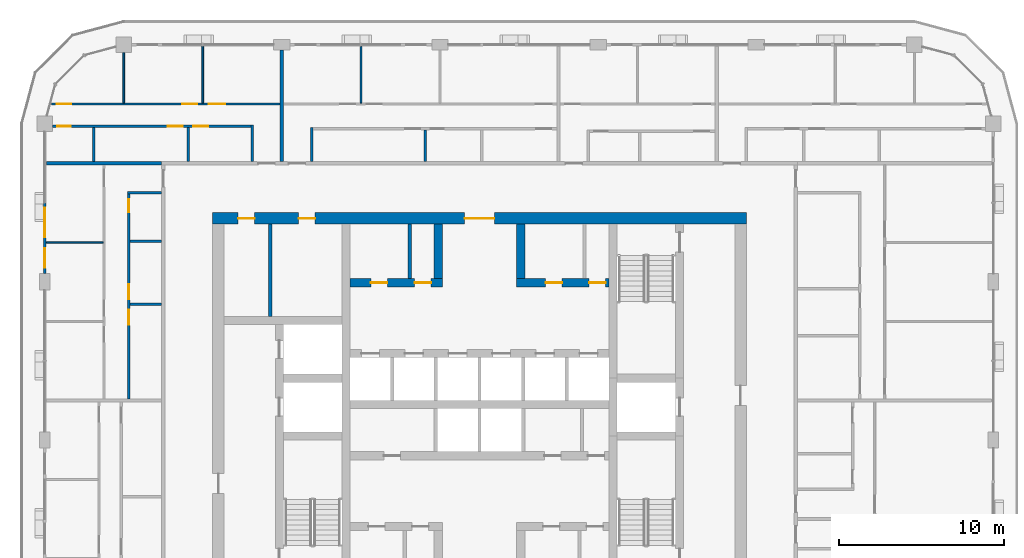
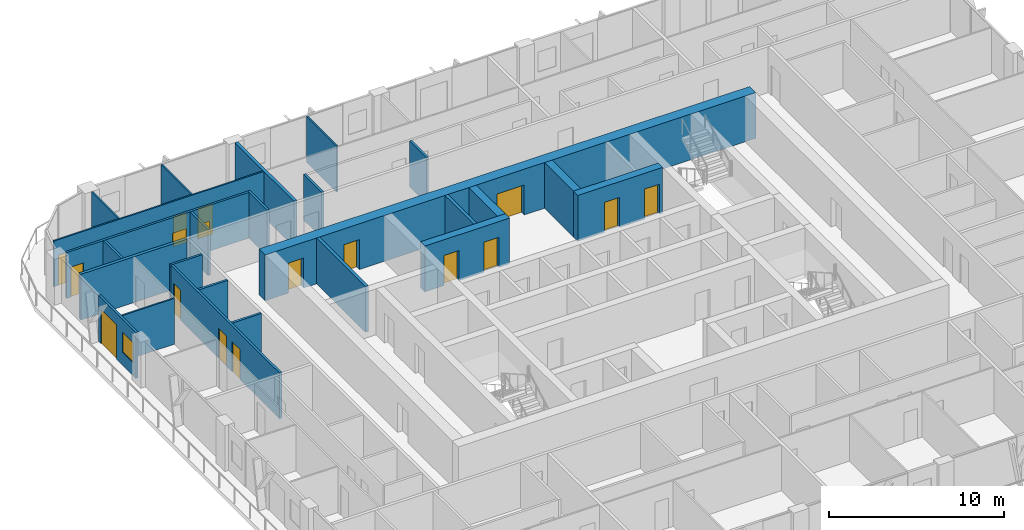
# One storey, part 13 of 22: 25 walls, 17 doors, 1 window, 18 openings.
"""IFC4 building model written with IfcOpenShell, lengths in metres."""

from ifc_helpers import new_model, si_unit, direction, frame, frame_2d, origin, place, context, subcontext, project, spatial, rectangle, extrude, material, layer, layer_set, type_object, element, fill, save


model = new_model("IFC4")

# Units and contexts
model_context = context("Model", 3, precision=1e-05, world=origin(), true_north=direction((0.0, 1.0)))
body_context = subcontext(model_context, "Body", "Model", "MODEL_VIEW")
ifc_project = project(units=[si_unit("LENGTHUNIT", "METRE"), si_unit("AREAUNIT", "SQUARE_METRE"), si_unit("VOLUMEUNIT", "CUBIC_METRE"), si_unit("PLANEANGLEUNIT", "RADIAN"), si_unit("MASSUNIT", "GRAM", prefix="KILO")], contexts=[model_context])

# Site, building, storey
site_placement = place(None, origin())
site = spatial("IfcSite", under=ifc_project, at=site_placement, CompositionType="ELEMENT")
building_placement = place(site_placement, origin())
building = spatial("IfcBuilding", under=site, at=building_placement, Name="Madar Terraces", CompositionType="ELEMENT")
storey_placement = place(building_placement, frame((0.0, 0.0, 192.89990234375)))
storey = spatial("IfcBuildingStorey", under=building, at=storey_placement, Name="L50", CompositionType="ELEMENT", Elevation=192.89990234375)

# Wall, openings, doors
ifc_material_1 = material(Name="Concrete C60/75", Category="concrete")
ifc_layer_1 = layer(ifc_material_1, 0.5)
ifc_layer_set_1 = layer_set([ifc_layer_1], Name="Concrete C60/75 (CIW4 RC wall 500)")
wall_type_1 = type_object("IfcWallType", Name="CIW4 RC wall 500", PredefinedType="SHEAR", material=ifc_layer_set_1)
wall_1_placement = place(storey_placement, frame((23.35009765625, 33.550048828125, 0.0), z_axis=(0.0, 0.0, 1.0), x_axis=(1.0, 0.0, 0.0)))
wall_1 = element("IfcWall", 1, at=wall_1_placement, inside=storey, type_object=wall_type_1, Name="CORE SHAFT WALL", PredefinedType="SHEAR", context=body_context, shape_type="SweptSolid", body=[
    extrude(rectangle(XDim=5.599853515625, YDim=0.5, at=frame_2d((2.7998046875, 0.0))), origin(), (0.0, 0.0, 1.0), 3.2001953125),
])
opening_1_placement = place(wall_1_placement, frame((1.260498046875, 0.0, 0.0)))
opening_1 = element("IfcOpeningElement", 2, at=opening_1_placement, cuts=wall_1, Name="Opening KD2", PredefinedType="OPENING", context=body_context, shape_type="SweptSolid", body=[
    extrude(rectangle(XDim=1.0, YDim=2.10009765625, at=frame_2d((0.5, 1.050048828125))), frame((0.0, 0.260009765625, 0.0), z_axis=(0.0, -1.0, 0.0), x_axis=(1.0, 0.0, 0.0)), (0.0, 0.0, 1.0), 0.52001953125),
])
opening_2_placement = place(wall_1_placement, frame((3.910400390625, 0.0, 0.0)))
opening_2 = element("IfcOpeningElement", 3, at=opening_2_placement, cuts=wall_1, Name="Opening KD2", PredefinedType="OPENING", context=body_context, shape_type="SweptSolid", body=[
    extrude(rectangle(XDim=1.0, YDim=2.10009765625, at=frame_2d((0.5, 1.050048828125))), frame((0.0, 0.260009765625, 0.0), z_axis=(0.0, -1.0, 0.0), x_axis=(1.0, 0.0, 0.0)), (0.0, 0.0, 1.0), 0.52001953125),
])
ifc_material_2 = material(Name="Steel door leaf", Category="steel")
door_type_1 = type_object("IfcDoorType", Name="Service room door 1000 x 2100", OperationType="NOTDEFINED", PredefinedType="DOOR", material=ifc_material_2)
door_1_placement = place(opening_1_placement, frame((1.0, 0.0, 0.0), z_axis=(0.0, 0.0, 1.0), x_axis=(-1.0, 0.0, 0.0)))
door_1 = element("IfcDoor", 4, at=door_1_placement, inside=storey, type_object=door_type_1, Name="SERVICE ROOM DOOR", OperationType="SINGLE_SWING_RIGHT", OverallHeight=2.10009765625, OverallWidth=1.0, PredefinedType="DOOR", context=body_context, shape_type="SweptSolid", body=[
    extrude(rectangle(XDim=1.0, YDim=2.10009765625, at=frame_2d((0.5, 1.050048828125))), frame((0.0, 0.02490234375, 0.0), z_axis=(0.0, -1.0, 0.0), x_axis=(1.0, 0.0, 0.0)), (0.0, 0.0, 1.0), 0.050048828125),
])
fill(opening_1, door_1)
door_2_placement = place(opening_2_placement, frame((1.0, 0.0, 0.0), z_axis=(0.0, 0.0, 1.0), x_axis=(-1.0, 0.0, 0.0)))
door_2 = element("IfcDoor", 5, at=door_2_placement, inside=storey, type_object=door_type_1, Name="SERVICE ROOM DOOR", OperationType="SINGLE_SWING_LEFT", OverallHeight=2.10009765625, OverallWidth=1.0, PredefinedType="DOOR", context=body_context, shape_type="SweptSolid", body=[
    extrude(rectangle(XDim=1.0, YDim=2.10009765625, at=frame_2d((0.5, 1.050048828125))), frame((0.0, 0.02490234375, 0.0), z_axis=(0.0, -1.0, 0.0), x_axis=(1.0, 0.0, 0.0)), (0.0, 0.0, 1.0), 0.050048828125),
])
fill(opening_2, door_2)

wall_2_placement = place(storey_placement, frame((33.449951171875, 33.550048828125, 0.0), z_axis=(0.0, 0.0, 1.0), x_axis=(1.0, 0.0, 0.0)))
wall_2 = element("IfcWall", 6, at=wall_2_placement, inside=storey, type_object=wall_type_1, Name="CORE SHAFT WALL", PredefinedType="SHEAR", context=body_context, shape_type="SweptSolid", body=[
    extrude(rectangle(XDim=5.60009765625, YDim=0.5, at=frame_2d((2.800048828125, 0.0))), origin(), (0.0, 0.0, 1.0), 3.2001953125),
])
opening_3_placement = place(wall_2_placement, frame((1.760498046875, 0.0, 0.0)))
opening_3 = element("IfcOpeningElement", 7, at=opening_3_placement, cuts=wall_2, Name="Opening KD2", PredefinedType="OPENING", context=body_context, shape_type="SweptSolid", body=[
    extrude(rectangle(XDim=1.0, YDim=2.10009765625, at=frame_2d((0.5, 1.050048828125))), frame((0.0, 0.260009765625, 0.0), z_axis=(0.0, -1.0, 0.0), x_axis=(1.0, 0.0, 0.0)), (0.0, 0.0, 1.0), 0.52001953125),
])
opening_4_placement = place(wall_2_placement, frame((4.410400390625, 0.0, 0.0)))
opening_4 = element("IfcOpeningElement", 8, at=opening_4_placement, cuts=wall_2, Name="Opening KD2", PredefinedType="OPENING", context=body_context, shape_type="SweptSolid", body=[
    extrude(rectangle(XDim=1.0, YDim=2.10009765625, at=frame_2d((0.5, 1.050048828125))), frame((0.0, 0.260009765625, 0.0), z_axis=(0.0, -1.0, 0.0), x_axis=(1.0, 0.0, 0.0)), (0.0, 0.0, 1.0), 0.52001953125),
])
door_3_placement = place(opening_3_placement, frame((1.0, 0.0, 0.0), z_axis=(0.0, 0.0, 1.0), x_axis=(-1.0, 0.0, 0.0)))
door_3 = element("IfcDoor", 9, at=door_3_placement, inside=storey, type_object=door_type_1, Name="SERVICE ROOM DOOR", OperationType="SINGLE_SWING_RIGHT", OverallHeight=2.10009765625, OverallWidth=1.0, PredefinedType="DOOR", context=body_context, shape_type="SweptSolid", body=[
    extrude(rectangle(XDim=1.0, YDim=2.10009765625, at=frame_2d((0.5, 1.050048828125))), frame((0.0, 0.02490234375, 0.0), z_axis=(0.0, -1.0, 0.0), x_axis=(1.0, 0.0, 0.0)), (0.0, 0.0, 1.0), 0.050048828125),
])
fill(opening_3, door_3)
door_4_placement = place(opening_4_placement, frame((1.0, 0.0, 0.0), z_axis=(0.0, 0.0, 1.0), x_axis=(-1.0, 0.0, 0.0)))
door_4 = element("IfcDoor", 10, at=door_4_placement, inside=storey, type_object=door_type_1, Name="SERVICE ROOM DOOR", OperationType="SINGLE_SWING_LEFT", OverallHeight=2.10009765625, OverallWidth=1.0, PredefinedType="DOOR", context=body_context, shape_type="SweptSolid", body=[
    extrude(rectangle(XDim=1.0, YDim=2.10009765625, at=frame_2d((0.5, 1.050048828125))), frame((0.0, 0.02490234375, 0.0), z_axis=(0.0, -1.0, 0.0), x_axis=(1.0, 0.0, 0.0)), (0.0, 0.0, 1.0), 0.050048828125),
])
fill(opening_4, door_4)

# Walls
for number, where, z_axis, x_axis, name in (
    (11, (28.699951171875, 33.800048828125, 0.0), (0.0, 0.0, 1.0), (0.0, 1.0, 0.0), "CORE SHAFT WALL"),
    (12, (33.699951171875, 33.800048828125, 0.0), (0.0, 0.0, 1.0), (0.0, 1.0, 0.0), "CORE SHAFT WALL"),
):
    element("IfcWall", number, at=place(storey_placement, frame(where, z_axis=z_axis, x_axis=x_axis)), inside=storey, type_object=wall_type_1, Name=name, PredefinedType="SHEAR", context=body_context, shape_type="SweptSolid", body=[
        extrude(rectangle(XDim=3.300048828125, YDim=0.5, at=frame_2d((1.64990234375, 0.0))), origin(), (0.0, 0.0, 1.0), 3.2001953125),
    ])

# Wall, openings, doors
ifc_material_3 = material(Name="Concrete C60/75", Category="concrete")
ifc_layer_2 = layer(ifc_material_3, 0.699951171875)
ifc_layer_set_2 = layer_set([ifc_layer_2], Name="Concrete C60/75 (CRW4 RC wall 700)")
wall_type_2 = type_object("IfcWallType", Name="CRW4 RC wall 700", PredefinedType="SHEAR", material=ifc_layer_set_2)
wall_3_placement = place(storey_placement, frame((15.0, 37.449951171875, 0.0), z_axis=(0.0, 0.0, 1.0), x_axis=(1.0, 0.0, 0.0)))
wall_3 = element("IfcWall", 13, at=wall_3_placement, inside=storey, type_object=wall_type_2, Name="CORE OUTER WALL", PredefinedType="SHEAR", context=body_context, shape_type="SweptSolid", body=[
    extrude(rectangle(XDim=32.39990234375, YDim=0.699951171875, at=frame_2d((16.199951171875, 0.0))), origin(), (0.0, 0.0, 1.0), 3.2001953125),
])
opening_5_placement = place(wall_3_placement, frame((15.300048828125, 0.0, 0.0)))
opening_5 = element("IfcOpeningElement", 14, at=opening_5_placement, cuts=wall_3, Name="Opening KD1", PredefinedType="OPENING", context=body_context, shape_type="SweptSolid", body=[
    extrude(rectangle(XDim=1.800048828125, YDim=2.10009765625, at=frame_2d((0.89990234375, 1.050048828125))), frame((0.0, 0.35986328125, 0.0), z_axis=(0.0, -1.0, 0.0), x_axis=(1.0, 0.0, 0.0)), (0.0, 0.0, 1.0), 0.719970703125),
])
opening_6_placement = place(wall_3_placement, frame((1.544189453125, 0.0, 0.0)))
opening_6 = element("IfcOpeningElement", 15, at=opening_6_placement, cuts=wall_3, Name="Opening KD2", PredefinedType="OPENING", context=body_context, shape_type="SweptSolid", body=[
    extrude(rectangle(XDim=1.0, YDim=2.10009765625, at=frame_2d((0.5, 1.050048828125))), frame((0.0, 0.35986328125, 0.0), z_axis=(0.0, -1.0, 0.0), x_axis=(1.0, 0.0, 0.0)), (0.0, 0.0, 1.0), 0.719970703125),
])
opening_7_placement = place(wall_3_placement, frame((5.21923828125, 0.0, 0.0)))
opening_7 = element("IfcOpeningElement", 16, at=opening_7_placement, cuts=wall_3, Name="Opening KD2", PredefinedType="OPENING", context=body_context, shape_type="SweptSolid", body=[
    extrude(rectangle(XDim=1.0, YDim=2.10009765625, at=frame_2d((0.5, 1.050048828125))), frame((0.0, 0.35986328125, 0.0), z_axis=(0.0, -1.0, 0.0), x_axis=(1.0, 0.0, 0.0)), (0.0, 0.0, 1.0), 0.719970703125),
])
ifc_material_4 = material(Name="Steel door leaf", Category="steel")
door_type_2 = type_object("IfcDoorType", Name="Lobby door pair 1800 x 2100", OperationType="DOUBLE_DOOR_SINGLE_SWING", PredefinedType="DOOR", material=ifc_material_4)
door_5_placement = place(opening_5_placement, origin())
door_5 = element("IfcDoor", 17, at=door_5_placement, inside=storey, type_object=door_type_2, Name="LIFT LOBBY DOOR", OperationType="DOUBLE_DOOR_SINGLE_SWING", OverallHeight=2.10009765625, OverallWidth=1.800048828125, PredefinedType="DOOR", context=body_context, shape_type="SweptSolid", body=[
    extrude(rectangle(XDim=1.800048828125, YDim=2.10009765625, at=frame_2d((0.89990234375, 1.050048828125))), frame((0.0, 0.02490234375, 0.0), z_axis=(0.0, -1.0, 0.0), x_axis=(1.0, 0.0, 0.0)), (0.0, 0.0, 1.0), 0.050048828125),
])
fill(opening_5, door_5)
door_6_placement = place(opening_6_placement, origin())
door_6 = element("IfcDoor", 18, at=door_6_placement, inside=storey, type_object=door_type_1, Name="SERVICE ROOM DOOR", OperationType="SINGLE_SWING_LEFT", OverallHeight=2.10009765625, OverallWidth=1.0, PredefinedType="DOOR", context=body_context, shape_type="SweptSolid", body=[
    extrude(rectangle(XDim=1.0, YDim=2.10009765625, at=frame_2d((0.5, 1.050048828125))), frame((0.0, 0.02490234375, 0.0), z_axis=(0.0, -1.0, 0.0), x_axis=(1.0, 0.0, 0.0)), (0.0, 0.0, 1.0), 0.050048828125),
])
fill(opening_6, door_6)
door_7_placement = place(opening_7_placement, origin())
door_7 = element("IfcDoor", 19, at=door_7_placement, inside=storey, type_object=door_type_1, Name="SERVICE ROOM DOOR", OperationType="SINGLE_SWING_RIGHT", OverallHeight=2.10009765625, OverallWidth=1.0, PredefinedType="DOOR", context=body_context, shape_type="SweptSolid", body=[
    extrude(rectangle(XDim=1.0, YDim=2.10009765625, at=frame_2d((0.5, 1.050048828125))), frame((0.0, 0.02490234375, 0.0), z_axis=(0.0, -1.0, 0.0), x_axis=(1.0, 0.0, 0.0)), (0.0, 0.0, 1.0), 0.050048828125),
])
fill(opening_7, door_7)

# Walls
ifc_material_5 = material(Name="Masonry blockwork", Category="masonry")
ifc_layer_3 = layer(ifc_material_5, 0.199951171875)
ifc_layer_set_3 = layer_set([ifc_layer_3], Name="Core partition 200 blockwork")
wall_type_3 = type_object("IfcWallType", Name="Core partition 200 blockwork", PredefinedType="PARTITIONING", material=ifc_layer_set_3)
wall_4_placement = place(storey_placement, frame((18.488525390625, 31.5, 0.0), z_axis=(0.0, 0.0, 1.0), x_axis=(0.0, 1.0, 0.0)))
element("IfcWall", 20, at=wall_4_placement, inside=storey, type_object=wall_type_3, Name="SERVICE ROOM PARTITION", PredefinedType="PARTITIONING", context=body_context, shape_type="SweptSolid", body=[
    extrude(rectangle(XDim=5.60009765625, YDim=0.199951171875, at=frame_2d((2.800048828125, 0.0))), origin(), (0.0, 0.0, 1.0), 3.2001953125),
])
wall_5_placement = place(storey_placement, frame((26.970947265625, 33.800048828125, 0.0), z_axis=(0.0, 0.0, 1.0), x_axis=(0.0, 1.0, 0.0)))
element("IfcWall", 21, at=wall_5_placement, inside=storey, type_object=wall_type_3, Name="SERVICE ROOM PARTITION", PredefinedType="PARTITIONING", context=body_context, shape_type="SweptSolid", body=[
    extrude(rectangle(XDim=3.300048828125, YDim=0.199951171875, at=frame_2d((1.64990234375, 0.0))), origin(), (0.0, 0.0, 1.0), 3.2001953125),
])

# Wall, openings, door, window
ifc_material_6 = material(Name="Aluminium composite panel, black, over insulated backing", Category="aluminium")
ifc_layer_4 = layer(ifc_material_6, 0.14990234375)
ifc_layer_set_4 = layer_set([ifc_layer_4], Name="Facade bay panel 150")
wall_type_4 = type_object("IfcWallType", Name="Facade bay panel 150", PredefinedType="SOLIDWALL", material=ifc_layer_set_4)
wall_6_placement = place(storey_placement, frame((4.800048828125, 38.39990234375, 0.0), z_axis=(0.0, 0.0, 1.0), x_axis=(0.0, -1.0, 0.0)))
wall_6 = element("IfcWall", 22, at=wall_6_placement, inside=storey, type_object=wall_type_4, Name="Facade bay panel", PredefinedType="SOLIDWALL", context=body_context, shape_type="SweptSolid", body=[
    extrude(rectangle(XDim=4.2998046875, YDim=0.14990234375, at=frame_2d((2.14990234375, 0.0))), origin(), (0.0, 0.0, 1.0), 3.2001953125),
])
opening_8_placement = place(wall_6_placement, frame((0.300048828125, 0.0, 0.0)))
opening_8 = element("IfcOpeningElement", 23, at=opening_8_placement, cuts=wall_6, Name="Opening ED1", PredefinedType="OPENING", context=body_context, shape_type="SweptSolid", body=[
    extrude(rectangle(XDim=1.800048828125, YDim=2.39990234375, at=frame_2d((0.89990234375, 1.199951171875))), frame((0.0, 0.0849609375, 0.0), z_axis=(0.0, -1.0, 0.0), x_axis=(1.0, 0.0, 0.0)), (0.0, 0.0, 1.0), 0.169921875),
])
opening_9_placement = place(wall_6_placement, frame((2.75, 0.0, 0.89990234375)))
opening_9 = element("IfcOpeningElement", 24, at=opening_9_placement, cuts=wall_6, Name="Opening W1", PredefinedType="OPENING", context=body_context, shape_type="SweptSolid", body=[
    extrude(rectangle(XDim=1.199951171875, YDim=1.39990234375, at=frame_2d((0.60009765625, 0.699951171875))), frame((0.0, 0.0849609375, 0.0), z_axis=(0.0, -1.0, 0.0), x_axis=(1.0, 0.0, 0.0)), (0.0, 0.0, 1.0), 0.169921875),
])
ifc_material_7 = material(Name="Glass, clear, with black aluminium frame", Category="aluminium")
door_type_3 = type_object("IfcDoorType", Name="Balcony and terrace sliding door 1800 x 2400", OperationType="SLIDING_TO_LEFT", PredefinedType="DOOR", material=ifc_material_7)
door_8_placement = place(opening_8_placement, origin())
door_8 = element("IfcDoor", 25, at=door_8_placement, inside=storey, type_object=door_type_3, Name="Balcony door", OperationType="SLIDING_TO_RIGHT", OverallHeight=2.39990234375, OverallWidth=1.800048828125, PredefinedType="DOOR", context=body_context, shape_type="SweptSolid", body=[
    extrude(rectangle(XDim=1.800048828125, YDim=2.39990234375, at=frame_2d((0.89990234375, 1.199951171875))), frame((0.0, 0.02490234375, 0.0), z_axis=(0.0, -1.0, 0.0), x_axis=(1.0, 0.0, 0.0)), (0.0, 0.0, 1.0), 0.050048828125),
])
fill(opening_8, door_8)
ifc_material_8 = material(Name="Glass, clear, with black aluminium frame", Category="aluminium")
window_type = type_object("IfcWindowType", Name="Vent window 1200 x 1400", PartitioningType="SINGLE_PANEL", PredefinedType="WINDOW", material=ifc_material_8)
window_placement = place(opening_9_placement, origin())
window = element("IfcWindow", 26, at=window_placement, inside=storey, type_object=window_type, Name="Operable vent window", OverallHeight=1.39990234375, OverallWidth=1.199951171875, PartitioningType="SINGLE_PANEL", PredefinedType="WINDOW", context=body_context, shape_type="SweptSolid", body=[
    extrude(rectangle(XDim=1.199951171875, YDim=1.39990234375, at=frame_2d((0.60009765625, 0.699951171875))), frame((0.0, 0.030029296875, 0.0), z_axis=(0.0, -1.0, 0.0), x_axis=(1.0, 0.0, 0.0)), (0.0, 0.0, 1.0), 0.06005859375),
])
fill(opening_9, window)

# Walls
ifc_material_9 = material(Name="Gypsum board on steel studs", Category="steel")
ifc_layer_5 = layer(ifc_material_9, 0.10009765625)
ifc_layer_set_5 = layer_set([ifc_layer_5], Name="Flat partition 100")
wall_type_5 = type_object("IfcWallType", Name="Flat partition 100", PredefinedType="PARTITIONING", material=ifc_layer_set_5)
for number, where, z_axis, x_axis, name in (
    (27, (24.0, 44.449951171875, 0.0), (0.0, 0.0, 1.0), (0.0, 1.0, 0.0), "Flat partition 100"),
    (28, (14.39990234375, 44.449951171875, 0.0), (0.0, 0.0, 1.0), (0.0, 1.0, 0.0), "Flat partition 100"),
):
    element("IfcWall", number, at=place(storey_placement, frame(where, z_axis=z_axis, x_axis=x_axis)), inside=storey, type_object=wall_type_5, Name=name, PredefinedType="PARTITIONING", context=body_context, shape_type="SweptSolid", body=[
        extrude(rectangle(XDim=3.449951171875, YDim=0.10009765625, at=frame_2d((1.72509765625, 0.0))), origin(), (0.0, 0.0, 1.0), 3.2001953125),
    ])
wall_7_placement = place(storey_placement, frame((9.60009765625, 44.449951171875, 0.0), z_axis=(0.0, 0.0, 1.0), x_axis=(0.0, 1.0, 0.0)))
element("IfcWall", 29, at=wall_7_placement, inside=storey, type_object=wall_type_5, Name="Flat partition 100", PredefinedType="PARTITIONING", context=body_context, shape_type="SweptSolid", body=[
    extrude(rectangle(XDim=3.074951171875, YDim=0.10009765625, at=frame_2d((1.53759765625, 0.0))), origin(), (0.0, 0.0, 1.0), 3.2001953125),
])

# Wall, openings, doors
wall_8_placement = place(storey_placement, frame((5.221435546875, 44.39990234375, 0.0), z_axis=(0.0, 0.0, 1.0), x_axis=(1.0, 0.0, 0.0)))
wall_8 = element("IfcWall", 30, at=wall_8_placement, inside=storey, type_object=wall_type_5, Name="Flat partition 100", PredefinedType="PARTITIONING", context=body_context, shape_type="SweptSolid", body=[
    extrude(rectangle(XDim=13.878662109375, YDim=0.10009765625, at=frame_2d((6.939453125, 0.0))), origin(), (0.0, 0.0, 1.0), 3.2001953125),
])
opening_10_placement = place(wall_8_placement, frame((9.528564453125, 0.0, 0.0)))
opening_10 = element("IfcOpeningElement", 31, at=opening_10_placement, cuts=wall_8, Name="Opening D3", PredefinedType="OPENING", context=body_context, shape_type="SweptSolid", body=[
    extrude(rectangle(XDim=1.0, YDim=2.10009765625, at=frame_2d((0.5, 1.050048828125))), frame((0.0, 0.06005859375, 0.0), z_axis=(0.0, -1.0, 0.0), x_axis=(1.0, 0.0, 0.0)), (0.0, 0.0, 1.0), 0.1201171875),
])
opening_11_placement = place(wall_8_placement, frame((7.928466796875, 0.0, 0.0)))
opening_11 = element("IfcOpeningElement", 32, at=opening_11_placement, cuts=wall_8, Name="Opening D2", PredefinedType="OPENING", context=body_context, shape_type="SweptSolid", body=[
    extrude(rectangle(XDim=0.89990234375, YDim=2.10009765625, at=frame_2d((0.449951171875, 1.050048828125))), frame((0.0, 0.06005859375, 0.0), z_axis=(0.0, -1.0, 0.0), x_axis=(1.0, 0.0, 0.0)), (0.0, 0.0, 1.0), 0.1201171875),
])
opening_12_placement = place(wall_8_placement, frame((0.300048828125, 0.0, 0.0)))
opening_12 = element("IfcOpeningElement", 33, at=opening_12_placement, cuts=wall_8, Name="Opening D2", PredefinedType="OPENING", context=body_context, shape_type="SweptSolid", body=[
    extrude(rectangle(XDim=0.89990234375, YDim=2.10009765625, at=frame_2d((0.449951171875, 1.050048828125))), frame((0.0, 0.06005859375, 0.0), z_axis=(0.0, -1.0, 0.0), x_axis=(1.0, 0.0, 0.0)), (0.0, 0.0, 1.0), 0.1201171875),
])
ifc_material_10 = material(Name="Timber door leaf", Category="wood")
door_type_4 = type_object("IfcDoorType", Name="Flat living room door 1000", OperationType="NOTDEFINED", PredefinedType="DOOR", material=ifc_material_10)
door_9_placement = place(opening_10_placement, origin())
door_9 = element("IfcDoor", 34, at=door_9_placement, inside=storey, type_object=door_type_4, Name="Flat living room door 1000", OperationType="SINGLE_SWING_LEFT", OverallHeight=2.10009765625, OverallWidth=1.0, PredefinedType="DOOR", context=body_context, shape_type="SweptSolid", body=[
    extrude(rectangle(XDim=1.0, YDim=2.10009765625, at=frame_2d((0.5, 1.050048828125))), frame((0.0, 0.02490234375, 0.0), z_axis=(0.0, -1.0, 0.0), x_axis=(1.0, 0.0, 0.0)), (0.0, 0.0, 1.0), 0.050048828125),
])
fill(opening_10, door_9)
ifc_material_11 = material(Name="Timber door leaf", Category="wood")
door_type_5 = type_object("IfcDoorType", Name="Flat room door 900", OperationType="NOTDEFINED", PredefinedType="DOOR", material=ifc_material_11)
door_10_placement = place(opening_11_placement, origin())
door_10 = element("IfcDoor", 35, at=door_10_placement, inside=storey, type_object=door_type_5, Name="Flat room door 900", OperationType="SINGLE_SWING_RIGHT", OverallHeight=2.10009765625, OverallWidth=0.89990234375, PredefinedType="DOOR", context=body_context, shape_type="SweptSolid", body=[
    extrude(rectangle(XDim=0.89990234375, YDim=2.10009765625, at=frame_2d((0.449951171875, 1.050048828125))), frame((0.0, 0.02490234375, 0.0), z_axis=(0.0, -1.0, 0.0), x_axis=(1.0, 0.0, 0.0)), (0.0, 0.0, 1.0), 0.050048828125),
])
fill(opening_11, door_10)
door_11_placement = place(opening_12_placement, origin())
door_11 = element("IfcDoor", 36, at=door_11_placement, inside=storey, type_object=door_type_5, Name="Flat room door 900", OperationType="SINGLE_SWING_LEFT", OverallHeight=2.10009765625, OverallWidth=0.89990234375, PredefinedType="DOOR", context=body_context, shape_type="SweptSolid", body=[
    extrude(rectangle(XDim=0.89990234375, YDim=2.10009765625, at=frame_2d((0.449951171875, 1.050048828125))), frame((0.0, 0.02490234375, 0.0), z_axis=(0.0, -1.0, 0.0), x_axis=(1.0, 0.0, 0.0)), (0.0, 0.0, 1.0), 0.050048828125),
])
fill(opening_12, door_11)

# Walls
wall_9_placement = place(storey_placement, frame((8.35009765625, 36.0, 0.0), z_axis=(0.0, 0.0, 1.0), x_axis=(-1.0, 0.0, 0.0)))
element("IfcWall", 37, at=wall_9_placement, inside=storey, type_object=wall_type_5, Name="Flat partition 100", PredefinedType="PARTITIONING", context=body_context, shape_type="SweptSolid", body=[
    extrude(rectangle(XDim=3.4501953125, YDim=0.10009765625, at=frame_2d((1.72509765625, 0.0))), origin(), (0.0, 0.0, 1.0), 3.2001953125),
])
ifc_material_12 = material(Name="Lightweight blockwork", Category="masonry")
ifc_layer_6 = layer(ifc_material_12, 0.199951171875)
ifc_layer_set_6 = layer_set([ifc_layer_6], Name="Flat party and entrance wall 200")
wall_type_6 = type_object("IfcWallType", Name="Flat party and entrance wall 200", PredefinedType="PARTITIONING", material=ifc_layer_set_6)
wall_10_placement = place(storey_placement, frame((19.199951171875, 47.675048828125, 0.0), z_axis=(0.0, 0.0, 1.0), x_axis=(0.0, -1.0, 0.0)))
element("IfcWall", 38, at=wall_10_placement, inside=storey, type_object=wall_type_6, Name="Flat party and entrance wall 200", PredefinedType="PARTITIONING", context=body_context, shape_type="SweptSolid", body=[
    extrude(rectangle(XDim=6.775146484375, YDim=0.199951171875, at=frame_2d((3.3876953125, 0.0))), origin(), (0.0, 0.0, 1.0), 3.2001953125),
])
wall_11_placement = place(storey_placement, frame((4.89990234375, 40.800048828125, 0.0), z_axis=(0.0, 0.0, 1.0), x_axis=(1.0, 0.0, 0.0)))
element("IfcWall", 39, at=wall_11_placement, inside=storey, type_object=wall_type_6, Name="Flat party and entrance wall 200", PredefinedType="PARTITIONING", context=body_context, shape_type="SweptSolid", body=[
    extrude(rectangle(XDim=7.0, YDim=0.199951171875, at=frame_2d((3.5, 0.0))), origin(), (0.0, 0.0, 1.0), 3.2001953125),
])
ifc_material_13 = material(Name="Lightweight blockwork", Category="masonry")
ifc_layer_7 = layer(ifc_material_13, 0.14990234375)
ifc_layer_set_7 = layer_set([ifc_layer_7], Name="Flat wet-room partition 150")
wall_type_7 = type_object("IfcWallType", Name="Flat wet-room partition 150", PredefinedType="PARTITIONING", material=ifc_layer_set_7)
wall_12_placement = place(storey_placement, frame((27.917236328125, 40.89990234375, 0.0), z_axis=(0.0, 0.0, 1.0), x_axis=(0.0, 1.0, 0.0)))
element("IfcWall", 40, at=wall_12_placement, inside=storey, type_object=wall_type_7, Name="Flat wet-room partition 150", PredefinedType="PARTITIONING", context=body_context, shape_type="SweptSolid", body=[
    extrude(rectangle(XDim=1.925048828125, YDim=0.14990234375, at=frame_2d((0.96240234375, 0.0))), origin(), (0.0, 0.0, 1.0), 3.2001953125),
])
for number, where, z_axis, x_axis, name in (
    (41, (21.0, 40.89990234375, 0.0), (0.0, 0.0, 1.0), (0.0, 1.0, 0.0), "Flat wet-room partition 150"),
    (42, (13.501953125, 40.89990234375, 0.0), (0.0, 0.0, 1.0), (0.0, 1.0, 0.0), "Flat wet-room partition 150"),
    (43, (7.767333984375, 40.89990234375, 0.0), (0.0, 0.0, 1.0), (0.0, 1.0, 0.0), "Flat wet-room partition 150"),
):
    element("IfcWall", number, at=place(storey_placement, frame(where, z_axis=z_axis, x_axis=x_axis)), inside=storey, type_object=wall_type_7, Name=name, PredefinedType="PARTITIONING", context=body_context, shape_type="SweptSolid", body=[
        extrude(rectangle(XDim=2.0751953125, YDim=0.14990234375, at=frame_2d((1.03759765625, 0.0))), origin(), (0.0, 0.0, 1.0), 3.2001953125),
    ])
wall_13_placement = place(storey_placement, frame((17.39990234375, 40.89990234375, 0.0), z_axis=(0.0, 0.0, 1.0), x_axis=(0.0, 1.0, 0.0)))
element("IfcWall", 44, at=wall_13_placement, inside=storey, type_object=wall_type_7, Name="Flat wet-room partition 150", PredefinedType="PARTITIONING", context=body_context, shape_type="SweptSolid", body=[
    extrude(rectangle(XDim=2.22509765625, YDim=0.14990234375, at=frame_2d((1.112548828125, 0.0))), origin(), (0.0, 0.0, 1.0), 3.2001953125),
])

# Wall, openings, doors
wall_14_placement = place(storey_placement, frame((17.324951171875, 43.050048828125, 0.0), z_axis=(0.0, 0.0, 1.0), x_axis=(-1.0, 0.0, 0.0)))
wall_14 = element("IfcWall", 45, at=wall_14_placement, inside=storey, type_object=wall_type_7, Name="Flat wet-room partition 150", PredefinedType="PARTITIONING", context=body_context, shape_type="SweptSolid", body=[
    extrude(rectangle(XDim=12.050048828125, YDim=0.14990234375, at=frame_2d((6.02490234375, 0.0))), origin(), (0.0, 0.0, 1.0), 3.2001953125),
])
opening_13_placement = place(wall_14_placement, frame((2.59814453125, 0.0, 0.0)))
opening_13 = element("IfcOpeningElement", 46, at=opening_13_placement, cuts=wall_14, Name="Opening D5", PredefinedType="OPENING", context=body_context, shape_type="SweptSolid", body=[
    extrude(rectangle(XDim=0.89990234375, YDim=2.10009765625, at=frame_2d((0.449951171875, 1.050048828125))), frame((0.0, 0.0849609375, 0.0), z_axis=(0.0, -1.0, 0.0), x_axis=(1.0, 0.0, 0.0)), (0.0, 0.0, 1.0), 0.169921875),
])
opening_14_placement = place(wall_14_placement, frame((4.148193359375, 0.0, 0.0)))
opening_14 = element("IfcOpeningElement", 47, at=opening_14_placement, cuts=wall_14, Name="Opening D2", PredefinedType="OPENING", context=body_context, shape_type="SweptSolid", body=[
    extrude(rectangle(XDim=0.89990234375, YDim=2.10009765625, at=frame_2d((0.449951171875, 1.050048828125))), frame((0.0, 0.0849609375, 0.0), z_axis=(0.0, -1.0, 0.0), x_axis=(1.0, 0.0, 0.0)), (0.0, 0.0, 1.0), 0.169921875),
])
opening_15_placement = place(wall_14_placement, frame((10.949951171875, 0.0, 0.0)))
opening_15 = element("IfcOpeningElement", 48, at=opening_15_placement, cuts=wall_14, Name="Opening D4", PredefinedType="OPENING", context=body_context, shape_type="SweptSolid", body=[
    extrude(rectangle(XDim=0.800048828125, YDim=2.10009765625, at=frame_2d((0.39990234375, 1.050048828125))), frame((0.0, 0.0849609375, 0.0), z_axis=(0.0, -1.0, 0.0), x_axis=(1.0, 0.0, 0.0)), (0.0, 0.0, 1.0), 0.169921875),
])
ifc_material_14 = material(Name="Timber door leaf", Category="wood")
door_type_6 = type_object("IfcDoorType", Name="Flat accessible bathroom door 900", OperationType="NOTDEFINED", PredefinedType="DOOR", material=ifc_material_14)
door_12_placement = place(opening_13_placement, origin())
door_12 = element("IfcDoor", 49, at=door_12_placement, inside=storey, type_object=door_type_6, Name="Flat accessible bathroom door 900", OperationType="SINGLE_SWING_RIGHT", OverallHeight=2.10009765625, OverallWidth=0.89990234375, PredefinedType="DOOR", context=body_context, shape_type="SweptSolid", body=[
    extrude(rectangle(XDim=0.89990234375, YDim=2.10009765625, at=frame_2d((0.449951171875, 1.050048828125))), frame((0.0, 0.02490234375, 0.0), z_axis=(0.0, -1.0, 0.0), x_axis=(1.0, 0.0, 0.0)), (0.0, 0.0, 1.0), 0.050048828125),
])
fill(opening_13, door_12)
ifc_material_15 = material(Name="Timber door leaf", Category="wood")
door_type_7 = type_object("IfcDoorType", Name="Flat bathroom door 800", OperationType="NOTDEFINED", PredefinedType="DOOR", material=ifc_material_15)
door_13_placement = place(opening_15_placement, origin())
door_13 = element("IfcDoor", 50, at=door_13_placement, inside=storey, type_object=door_type_7, Name="Flat bathroom door 800", OperationType="SINGLE_SWING_RIGHT", OverallHeight=2.10009765625, OverallWidth=0.800048828125, PredefinedType="DOOR", context=body_context, shape_type="SweptSolid", body=[
    extrude(rectangle(XDim=0.800048828125, YDim=2.10009765625, at=frame_2d((0.39990234375, 1.050048828125))), frame((0.0, 0.02490234375, 0.0), z_axis=(0.0, -1.0, 0.0), x_axis=(1.0, 0.0, 0.0)), (0.0, 0.0, 1.0), 0.050048828125),
])
fill(opening_15, door_13)
door_14_placement = place(opening_14_placement, origin())
door_14 = element("IfcDoor", 51, at=door_14_placement, inside=storey, type_object=door_type_5, Name="Flat room door 900", OperationType="SINGLE_SWING_LEFT", OverallHeight=2.10009765625, OverallWidth=0.89990234375, PredefinedType="DOOR", context=body_context, shape_type="SweptSolid", body=[
    extrude(rectangle(XDim=0.89990234375, YDim=2.10009765625, at=frame_2d((0.449951171875, 1.050048828125))), frame((0.0, 0.02490234375, 0.0), z_axis=(0.0, -1.0, 0.0), x_axis=(1.0, 0.0, 0.0)), (0.0, 0.0, 1.0), 0.050048828125),
])
fill(opening_14, door_14)

# Walls
for number, where, z_axis, x_axis, name in (
    (52, (11.89990234375, 36.0576171875, 0.0), (0.0, 0.0, 1.0), (-1.0, 0.0, 0.0), "Flat wet-room partition 150"),
    (53, (11.89990234375, 32.234619140625, 0.0), (0.0, 0.0, 1.0), (-1.0, 0.0, 0.0), "Flat wet-room partition 150"),
):
    element("IfcWall", number, at=place(storey_placement, frame(where, z_axis=z_axis, x_axis=x_axis)), inside=storey, type_object=wall_type_7, Name=name, PredefinedType="PARTITIONING", context=body_context, shape_type="SweptSolid", body=[
        extrude(rectangle(XDim=1.9248046875, YDim=0.14990234375, at=frame_2d((0.96240234375, 0.0))), origin(), (0.0, 0.0, 1.0), 3.2001953125),
    ])
wall_15_placement = place(storey_placement, frame((11.89990234375, 39.0, 0.0), z_axis=(0.0, 0.0, 1.0), x_axis=(-1.0, 0.0, 0.0)))
element("IfcWall", 54, at=wall_15_placement, inside=storey, type_object=wall_type_7, Name="Flat wet-room partition 150", PredefinedType="PARTITIONING", context=body_context, shape_type="SweptSolid", body=[
    extrude(rectangle(XDim=2.074951171875, YDim=0.14990234375, at=frame_2d((1.03759765625, 0.0))), origin(), (0.0, 0.0, 1.0), 3.2001953125),
])

# Wall, openings, doors
wall_16_placement = place(storey_placement, frame((9.89990234375, 38.925048828125, 0.0), z_axis=(0.0, 0.0, 1.0), x_axis=(0.0, -1.0, 0.0)))
wall_16 = element("IfcWall", 55, at=wall_16_placement, inside=storey, type_object=wall_type_7, Name="Flat wet-room partition 150", PredefinedType="PARTITIONING", context=body_context, shape_type="SweptSolid", body=[
    extrude(rectangle(XDim=12.425048828125, YDim=0.14990234375, at=frame_2d((6.21240234375, 0.0))), origin(), (0.0, 0.0, 1.0), 3.2001953125),
])
opening_16_placement = place(wall_16_placement, frame((0.300048828125, 0.0, 0.0)))
opening_16 = element("IfcOpeningElement", 56, at=opening_16_placement, cuts=wall_16, Name="Opening D4", PredefinedType="OPENING", context=body_context, shape_type="SweptSolid", body=[
    extrude(rectangle(XDim=0.800048828125, YDim=2.10009765625, at=frame_2d((0.39990234375, 1.050048828125))), frame((0.0, 0.0849609375, 0.0), z_axis=(0.0, -1.0, 0.0), x_axis=(1.0, 0.0, 0.0)), (0.0, 0.0, 1.0), 0.169921875),
])
opening_17_placement = place(wall_16_placement, frame((5.46533203125, 0.0, 0.0)))
opening_17 = element("IfcOpeningElement", 57, at=opening_17_placement, cuts=wall_16, Name="Opening D5", PredefinedType="OPENING", context=body_context, shape_type="SweptSolid", body=[
    extrude(rectangle(XDim=0.89990234375, YDim=2.10009765625, at=frame_2d((0.449951171875, 1.050048828125))), frame((0.0, 0.0849609375, 0.0), z_axis=(0.0, -1.0, 0.0), x_axis=(1.0, 0.0, 0.0)), (0.0, 0.0, 1.0), 0.169921875),
])
opening_18_placement = place(wall_16_placement, frame((7.015380859375, 0.0, 0.0)))
opening_18 = element("IfcOpeningElement", 58, at=opening_18_placement, cuts=wall_16, Name="Opening D2", PredefinedType="OPENING", context=body_context, shape_type="SweptSolid", body=[
    extrude(rectangle(XDim=0.89990234375, YDim=2.10009765625, at=frame_2d((0.449951171875, 1.050048828125))), frame((0.0, 0.0849609375, 0.0), z_axis=(0.0, -1.0, 0.0), x_axis=(1.0, 0.0, 0.0)), (0.0, 0.0, 1.0), 0.169921875),
])
door_15_placement = place(opening_17_placement, origin())
door_15 = element("IfcDoor", 59, at=door_15_placement, inside=storey, type_object=door_type_6, Name="Flat accessible bathroom door 900", OperationType="SINGLE_SWING_RIGHT", OverallHeight=2.10009765625, OverallWidth=0.89990234375, PredefinedType="DOOR", context=body_context, shape_type="SweptSolid", body=[
    extrude(rectangle(XDim=0.89990234375, YDim=2.10009765625, at=frame_2d((0.449951171875, 1.050048828125))), frame((0.0, 0.02490234375, 0.0), z_axis=(0.0, -1.0, 0.0), x_axis=(1.0, 0.0, 0.0)), (0.0, 0.0, 1.0), 0.050048828125),
])
fill(opening_17, door_15)
door_16_placement = place(opening_16_placement, origin())
door_16 = element("IfcDoor", 60, at=door_16_placement, inside=storey, type_object=door_type_7, Name="Flat bathroom door 800", OperationType="SINGLE_SWING_LEFT", OverallHeight=2.10009765625, OverallWidth=0.800048828125, PredefinedType="DOOR", context=body_context, shape_type="SweptSolid", body=[
    extrude(rectangle(XDim=0.800048828125, YDim=2.10009765625, at=frame_2d((0.39990234375, 1.050048828125))), frame((0.0, 0.02490234375, 0.0), z_axis=(0.0, -1.0, 0.0), x_axis=(1.0, 0.0, 0.0)), (0.0, 0.0, 1.0), 0.050048828125),
])
fill(opening_16, door_16)
door_17_placement = place(opening_18_placement, origin())
door_17 = element("IfcDoor", 61, at=door_17_placement, inside=storey, type_object=door_type_5, Name="Flat room door 900", OperationType="SINGLE_SWING_LEFT", OverallHeight=2.10009765625, OverallWidth=0.89990234375, PredefinedType="DOOR", context=body_context, shape_type="SweptSolid", body=[
    extrude(rectangle(XDim=0.89990234375, YDim=2.10009765625, at=frame_2d((0.449951171875, 1.050048828125))), frame((0.0, 0.02490234375, 0.0), z_axis=(0.0, -1.0, 0.0), x_axis=(1.0, 0.0, 0.0)), (0.0, 0.0, 1.0), 0.050048828125),
])
fill(opening_18, door_17)

save(model, "model.ifc")
